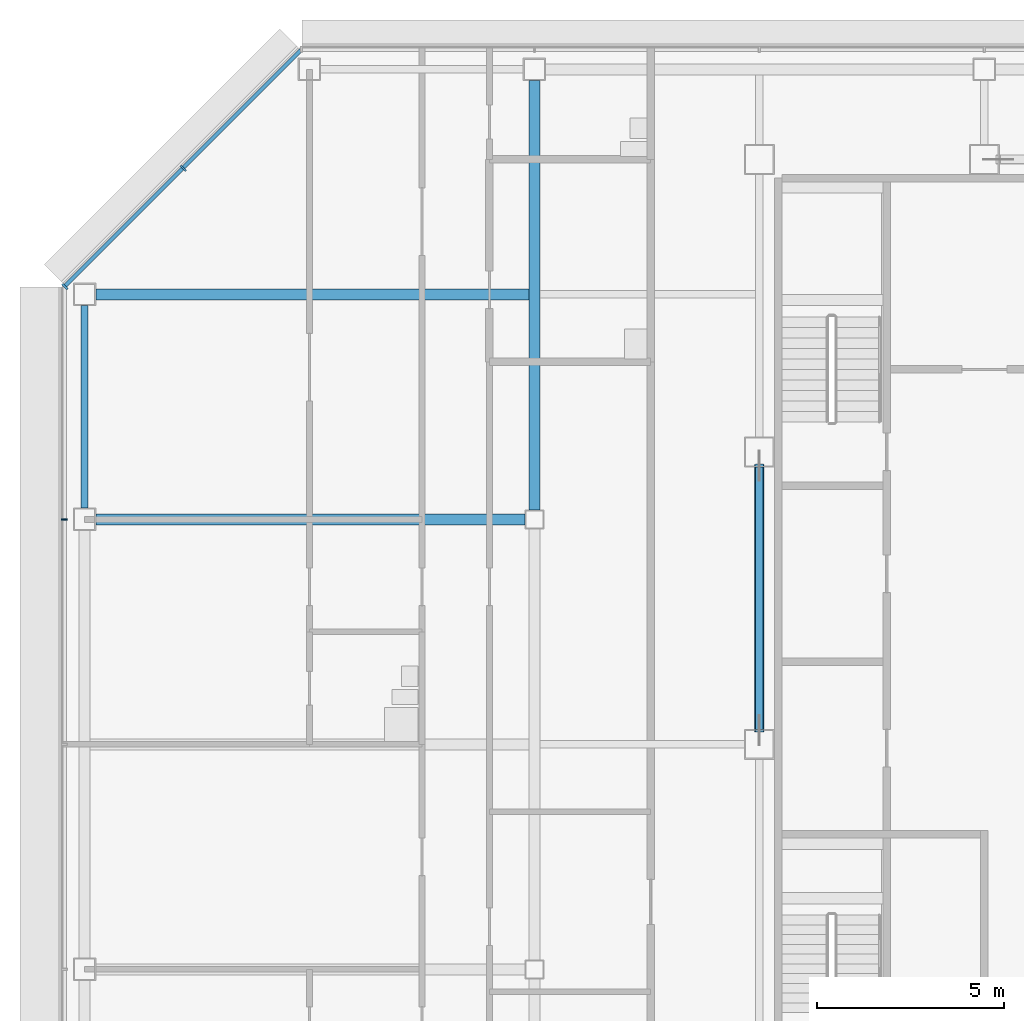
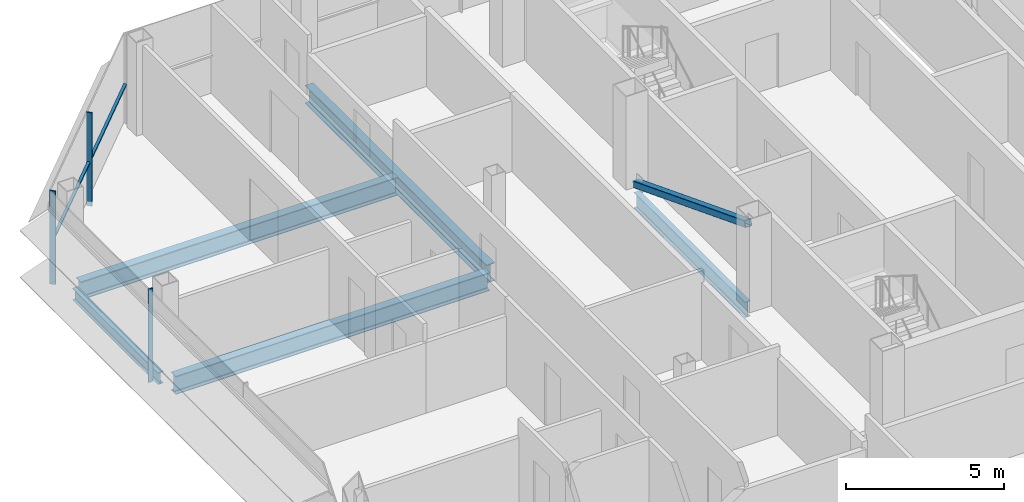
# One storey, part 12 of 28: 5 beams, 5 members, 2 elements without a shape of their own.
"""IFC4 building model written with IfcOpenShell, lengths in metres."""

import ifcopenshell
import ifcopenshell.guid

model = None  # the IFC model being written
_history = None  # IfcOwnerHistory: only IFC2X3 demands one
_inside = {}  # id of a spatial element -> (the spatial element, [elements in it])
_under = {}  # id of a project, library or spatial element -> (it, [spatial elements below it])
_declared = {}  # id of a project -> (the project, [libraries it declares])
_typed = {}  # id of a type object -> (the type object, [elements of that type])
_made_of = {}  # id of a material, layer set ... -> (it, [elements and type objects made of it])


def new_model(schema):
    """Start an empty IFC model of exactly this schema.

    Asked for "IFC4X3", IfcOpenShell would pick the latest addendum, in which some entities
    have other attributes; the version numbers below select the first issue.
    IFC2X3 requires an IfcOwnerHistory on every rooted entity: one is made here for all.
    """
    global model, _history
    if schema == "IFC4X3":
        model = ifcopenshell.file(schema_version=(4, 3, 0, 0))
    else:
        model = ifcopenshell.file(schema=schema)
    _inside.clear()
    _under.clear()
    _declared.clear()
    _typed.clear()
    _made_of.clear()
    _history = None
    if model.schema == "IFC2X3":
        org = make("IfcOrganization", Name="unknown")
        user = make(
            "IfcPersonAndOrganization",
            ThePerson=make("IfcPerson", FamilyName="unknown"),
            TheOrganization=org,
        )
        app = make(
            "IfcApplication",
            ApplicationDeveloper=org,
            Version="unknown",
            ApplicationFullName="unknown",
            ApplicationIdentifier="unknown",
        )
        _history = make(
            "IfcOwnerHistory",
            OwningUser=user,
            OwningApplication=app,
            ChangeAction="ADDED",
            CreationDate=0,
        )
    return model


def make(cls, **values):
    """One entity of the class cls with the attributes given. An attribute that is None is left unset."""
    return model.create_entity(
        cls, **{name: value for name, value in values.items() if value is not None}
    )


def rooted(cls, **values):
    """An entity with a GlobalId (a new one), such as an element, a storey or a relation."""
    return make(cls, GlobalId=ifcopenshell.guid.new(), OwnerHistory=_history, **values)


def si_unit(unit_type, name, prefix=None):
    """IfcSIUnit, for example si_unit("LENGTHUNIT", "METRE", prefix="MILLI")."""
    return make("IfcSIUnit", UnitType=unit_type, Prefix=prefix, Name=name)


def assignment(units):
    """IfcUnitAssignment: the units of a project."""
    return None if units is None else make("IfcUnitAssignment", Units=units)


def point(xyz):
    """IfcCartesianPoint."""
    return None if xyz is None else make("IfcCartesianPoint", Coordinates=xyz)


def direction(xyz):
    """IfcDirection."""
    return None if xyz is None else make("IfcDirection", DirectionRatios=xyz)


def frame(location, z_axis=None, x_axis=None):
    """IfcAxis2Placement3D, a coordinate frame: its origin and axes. An axis left out is left unset."""
    return make(
        "IfcAxis2Placement3D",
        Location=point(location),
        Axis=direction(z_axis),
        RefDirection=direction(x_axis),
    )


def frame_2d(location, x_axis=None):
    """IfcAxis2Placement2D, a coordinate frame in the plane: its origin and x axis."""
    return make(
        "IfcAxis2Placement2D", Location=point(location), RefDirection=direction(x_axis)
    )


def origin():
    """The frame at (0, 0, 0) with its axes left unset."""
    return frame((0.0, 0.0, 0.0))


def origin_2d():
    """The frame at (0, 0) in the plane with its x axis left unset."""
    return frame_2d((0.0, 0.0))


def place(relative_to, where):
    """IfcLocalPlacement: puts the frame where relative to a parent placement (None: the world)."""
    return make(
        "IfcLocalPlacement", PlacementRelTo=relative_to, RelativePlacement=where
    )


def context(
    kind, dimensions, precision=None, world=None, true_north=None, identifier=None
):
    """IfcGeometricRepresentationContext, for example the 3D "Model" context."""
    return make(
        "IfcGeometricRepresentationContext",
        ContextIdentifier=identifier,
        ContextType=kind,
        CoordinateSpaceDimension=dimensions,
        Precision=precision,
        WorldCoordinateSystem=world,
        TrueNorth=true_north,
    )


def subcontext(parent, identifier, kind, view, scale=None):
    """IfcGeometricRepresentationSubContext, for example "Body" below "Model"."""
    return make(
        "IfcGeometricRepresentationSubContext",
        ContextIdentifier=identifier,
        ContextType=kind,
        ParentContext=parent,
        TargetScale=scale,
        TargetView=view,
    )


def project(units=None, contexts=None):
    """IfcProject with its units and contexts."""
    return rooted(
        "IfcProject",
        Name="project",
        RepresentationContexts=contexts,
        UnitsInContext=assignment(units),
    )


def spatial(cls, under=None, at=None, **own):
    """A site, building, storey or space (cls), placed at a placement, below another one or the project."""
    s = rooted(cls, ObjectPlacement=at, **own)
    if under is not None:
        _under.setdefault(under.id(), (under, []))[1].append(s)
    return s


def profile(cls, at=None, kind="AREA", **sizes):
    """A parametric profile (cls). Its sizes go by their IFC names, for example OverallWidth=200.0."""
    return make(cls, ProfileType=kind, Position=at, **sizes)


def rectangle(**sizes):
    """IfcRectangleProfileDef."""
    return profile("IfcRectangleProfileDef", **sizes)


def hollow_rectangle(**sizes):
    """IfcRectangleHollowProfileDef."""
    return profile("IfcRectangleHollowProfileDef", **sizes)


def i_section(**sizes):
    """IfcIShapeProfileDef."""
    return profile("IfcIShapeProfileDef", **sizes)


def extrude(swept, where, along, depth):
    """IfcExtrudedAreaSolid: the profile swept, set in the frame where, extruded along a direction by depth."""
    return make(
        "IfcExtrudedAreaSolid",
        SweptArea=swept,
        Position=where,
        ExtrudedDirection=direction(along),
        Depth=depth,
    )


def shape(context_of_items, identifier, shape_type, items):
    """IfcShapeRepresentation: the items that make up one representation, for example the "Body"."""
    return make(
        "IfcShapeRepresentation",
        ContextOfItems=context_of_items,
        RepresentationIdentifier=identifier,
        RepresentationType=shape_type,
        Items=items,
    )


def material(Name=None, Category=None):
    """IfcMaterial."""
    return make("IfcMaterial", Name=Name, Category=Category)


def material_profile(
    of_material, cross_section, Name=None, Category=None, Priority=None
):
    """IfcMaterialProfile: a cross section and its material."""
    return make(
        "IfcMaterialProfile",
        Name=Name,
        Material=of_material,
        Profile=cross_section,
        Priority=Priority,
        Category=Category,
    )


def profile_set(profiles, Name=None, composite=None):
    """IfcMaterialProfileSet."""
    return make(
        "IfcMaterialProfileSet",
        Name=Name,
        MaterialProfiles=profiles,
        CompositeProfile=composite,
    )


def made_of(thing, what):
    """Note that an element or type object is made of a material, layer set ...; save() writes the relation."""
    if what is not None:
        _made_of.setdefault(what.id(), (what, []))[1].append(thing)
    return thing


def type_object(cls, material=None, **own):
    """A type object (cls), such as IfcWallType, which elements share."""
    return made_of(rooted(cls, **own), material)


def element(
    cls,
    number,
    at=None,
    inside=None,
    cuts=None,
    type_object=None,
    material=None,
    context=None,
    identifier="Body",
    shape_type=None,
    held_by="IfcProductDefinitionShape",
    body=None,
    shapes=None,
    **own,
):
    """One element of the class cls, such as IfcWall. Its Tag is "e" and its number.

    at: its placement. inside: the storey or other place that contains it. cuts: it is an
    opening in that element (IfcRelVoidsElement). A single representation is given by context,
    identifier, shape_type and body (its items); several are given by shapes. held_by: the class
    of the entity that holds the representations. save() writes the other relations.
    """
    e = rooted(cls, Tag="e%d" % number, ObjectPlacement=at, **own)
    if body is not None:
        shapes = [shape(context, identifier, shape_type, body)]
    if shapes is not None:
        e.Representation = make(held_by, Representations=shapes)
    if inside is not None:
        _inside.setdefault(inside.id(), (inside, []))[1].append(e)
    if cuts is not None:
        rooted(
            "IfcRelVoidsElement", RelatingBuildingElement=cuts, RelatedOpeningElement=e
        )
    if type_object is not None:
        _typed.setdefault(type_object.id(), (type_object, []))[1].append(e)
    return made_of(e, material)


def aggregate(whole, parts):
    """IfcRelAggregates: a whole, such as a stair, and the parts it consists of."""
    return rooted("IfcRelAggregates", RelatingObject=whole, RelatedObjects=parts)


def save(model, path):
    """Write the relations noted so far, then the file.

    IfcRelAggregates (storeys below a building ...), IfcRelContainedInSpatialStructure (elements
    in a storey), IfcRelDefinesByType, IfcRelAssociatesMaterial and IfcRelDeclares: one each for
    every whole, place, type object, material and project.
    """
    for whole, parts in _under.values():
        aggregate(whole, parts)
    for where, things in _inside.values():
        rooted(
            "IfcRelContainedInSpatialStructure",
            RelatedElements=things,
            RelatingStructure=where,
        )
    for kind, things in _typed.values():
        rooted("IfcRelDefinesByType", RelatedObjects=things, RelatingType=kind)
    for what, things in _made_of.values():
        rooted("IfcRelAssociatesMaterial", RelatedObjects=things, RelatingMaterial=what)
    for by, libraries in _declared.values():
        rooted("IfcRelDeclares", RelatingContext=by, RelatedDefinitions=libraries)
    model.write(path)


model = new_model("IFC4")

# Units and contexts
model_context = context("Model", 3, precision=1e-05, world=origin(), true_north=direction((0.0, 1.0)))
body_context = subcontext(model_context, "Body", "Model", "MODEL_VIEW")
ifc_project = project(units=[si_unit("LENGTHUNIT", "METRE"), si_unit("AREAUNIT", "SQUARE_METRE"), si_unit("VOLUMEUNIT", "CUBIC_METRE"), si_unit("PLANEANGLEUNIT", "RADIAN"), si_unit("MASSUNIT", "GRAM", prefix="KILO")], contexts=[model_context])

# Site, building, storey
site_placement = place(None, origin())
site = spatial("IfcSite", under=ifc_project, at=site_placement, CompositionType="ELEMENT")
building_placement = place(site_placement, origin())
building = spatial("IfcBuilding", under=site, at=building_placement, Name="Sorahane Residences", CompositionType="ELEMENT")
storey_placement = place(building_placement, frame((0.0, 0.0, 273.800048828125)))
storey = spatial("IfcBuildingStorey", under=building, at=storey_placement, Name="L65", CompositionType="ELEMENT", Elevation=273.800048828125)

# Member
ifc_material_1 = material(Name="Steel Q355B", Category="steel")
ifc_material_profile_1 = material_profile(ifc_material_1, hollow_rectangle(XDim=0.25, YDim=0.25, WallThickness=0.013916015625, InnerFilletRadius=0.007080078125, OuterFilletRadius=0.02099609375, at=origin_2d()), Name="RHS 250x250x14")
ifc_profile_set_1 = profile_set([ifc_material_profile_1], Name="Steel Q355B")
member_type_1 = type_object("IfcMemberType", Name="Core brace RHS 250x250x14 Q355B", PredefinedType="BRACE", material=ifc_profile_set_1)
member_1_placement = place(storey_placement, frame((6.0, 37.42724609375, 0.114501953125), z_axis=(0.0, -0.932112994653, 0.362167592697), x_axis=(1.0, 0.0, 0.0)))
element("IfcMember", 1, at=member_1_placement, inside=storey, type_object=member_type_1, Name="Core brace L65 x6-2", PredefinedType="BRACE", context=body_context, shape_type="SweptSolid", body=[
    extrude(hollow_rectangle(XDim=0.25, YDim=0.25, WallThickness=0.013916015625, InnerFilletRadius=0.007080078125, OuterFilletRadius=0.02099609375, at=origin_2d()), origin(), (0.0, 0.0, 1.0), 7.568115234375),
])

# Curtain wall, member
ifc_material_2 = material(Name="Dark low-e glass and black anodised aluminium", Category="aluminium")
curtain_wall_type_1 = type_object("IfcCurtainWallType", Name="Curtain wall CW-1 Typical unitised wall", PredefinedType="NOTDEFINED", material=ifc_material_2)
curtain_wall_1_placement = place(storey_placement, origin())
curtain_wall_1 = element("IfcCurtainWall", 2, at=curtain_wall_1_placement, inside=storey, type_object=curtain_wall_type_1, Name="CW-1 curtain wall L65 W1", PredefinedType="NOTDEFINED")
ifc_material_3 = material(Name="Black anodised aluminium", Category="aluminium")
ifc_material_profile_2 = material_profile(ifc_material_3, rectangle(XDim=0.159912109375, YDim=0.050048828125, at=origin_2d()), Name="Curtain wall mullion CW-1 black anodised aluminium 50x160")
ifc_profile_set_2 = profile_set([ifc_material_profile_2], Name="Black anodised aluminium")
member_type_2 = type_object("IfcMemberType", Name="Curtain wall mullion CW-1 black anodised aluminium 50x160", PredefinedType="MULLION", material=ifc_profile_set_2)
member_2_placement = place(storey_placement, frame((-12.5400390625, 36.0, -0.179931640625), z_axis=(0.0, 0.0, 1.0), x_axis=(-1.0, 0.0, 0.0)))
member_2 = element("IfcMember", 3, at=member_2_placement, type_object=member_type_2, Name="CW-1 mullion L65 W1.2", PredefinedType="MULLION", context=body_context, shape_type="SweptSolid", body=[
    extrude(rectangle(XDim=0.159912109375, YDim=0.050048828125, at=origin_2d()), origin(), (0.0, 0.0, 1.0), 3.599853515625),
])
aggregate(curtain_wall_1, [member_2])

# Curtain wall, members
ifc_material_4 = material(Name="Dark low-e glass and black anodised aluminium", Category="aluminium")
curtain_wall_type_2 = type_object("IfcCurtainWallType", Name="Curtain wall CW-2 Chamfer unitised wall", PredefinedType="NOTDEFINED", material=ifc_material_4)
curtain_wall_2_placement = place(storey_placement, origin())
curtain_wall_2 = element("IfcCurtainWall", 4, at=curtain_wall_2_placement, inside=storey, type_object=curtain_wall_type_2, Name="CW-2 curtain wall L65 NW1", PredefinedType="NOTDEFINED")
ifc_material_5 = material(Name="Black anodised aluminium", Category="aluminium")
ifc_material_profile_3 = material_profile(ifc_material_5, rectangle(XDim=0.199951171875, YDim=0.050048828125, at=origin_2d()), Name="Curtain wall mullion CW-2 black anodised aluminium 50x200")
ifc_profile_set_3 = profile_set([ifc_material_profile_3], Name="Black anodised aluminium")
member_type_3 = type_object("IfcMemberType", Name="Curtain wall mullion CW-2 black anodised aluminium 50x200", PredefinedType="MULLION", material=ifc_profile_set_3)
member_3_placement = place(storey_placement, frame((-9.36767578125, 45.36767578125, -0.179931640625), z_axis=(0.0, 0.0, 1.0), x_axis=(-0.707106781187, 0.707106781187, 0.0)))
member_3 = element("IfcMember", 5, at=member_3_placement, type_object=member_type_3, Name="CW-2 mullion L65 NW1.2", PredefinedType="MULLION", context=body_context, shape_type="SweptSolid", body=[
    extrude(rectangle(XDim=0.199951171875, YDim=0.050048828125, at=origin_2d()), origin(), (0.0, 0.0, 1.0), 3.599853515625),
])
member_4_placement = place(storey_placement, frame((-12.525634765625, 42.209716796875, -0.179931640625), z_axis=(0.0, 0.0, 1.0), x_axis=(-0.707106781187, 0.707106781187, 0.0)))
member_4 = element("IfcMember", 6, at=member_4_placement, type_object=member_type_3, Name="CW-2 mullion L65 NW1.3", PredefinedType="MULLION", context=body_context, shape_type="SweptSolid", body=[
    extrude(rectangle(XDim=0.199951171875, YDim=0.050048828125, at=origin_2d()), origin(), (0.0, 0.0, 1.0), 3.599853515625),
])
ifc_material_6 = material(Name="Black anodised aluminium", Category="aluminium")
ifc_material_profile_4 = material_profile(ifc_material_6, rectangle(XDim=0.10009765625, YDim=0.06005859375, at=origin_2d()), Name="Curtain wall transom CW-2 black anodised aluminium 60x100")
ifc_profile_set_4 = profile_set([ifc_material_profile_4], Name="Black anodised aluminium")
member_type_4 = type_object("IfcMemberType", Name="Curtain wall transom CW-2 black anodised aluminium 60x100", PredefinedType="USERDEFINED", material=ifc_profile_set_4)
member_5_placement = place(storey_placement, frame((-6.234375, 48.51513671875, 1.5), z_axis=(-0.707106781187, -0.707106781187, 0.0), x_axis=(0.707106781187, -0.707106781187, 0.0)))
member_5 = element("IfcMember", 7, at=member_5_placement, type_object=member_type_4, Name="CW-2 transom L65 NW1", ObjectType="TRANSOM", PredefinedType="USERDEFINED", context=body_context, shape_type="SweptSolid", body=[
    extrude(rectangle(XDim=0.10009765625, YDim=0.06005859375, at=origin_2d()), origin(), (0.0, 0.0, 1.0), 8.88232421875),
])
aggregate(curtain_wall_2, [member_3, member_4, member_5])

# Beams
ifc_material_7 = material(Name="Steel Q355B", Category="steel")
ifc_material_profile_5 = material_profile(ifc_material_7, i_section(OverallWidth=0.199951171875, OverallDepth=0.449951171875, WebThickness=0.009033203125, FlangeThickness=0.013916015625, FilletRadius=0.02001953125, at=origin_2d()), Name="HN 450x200x9x14")
ifc_profile_set_5 = profile_set([ifc_material_profile_5], Name="Steel Q355B")
beam_type_1 = type_object("IfcBeamType", Name="Steel floor beam HN 450x200x9x14 Q355B", PredefinedType="BEAM", material=ifc_profile_set_5)
beam_1_placement = place(storey_placement, frame((-12.0, 36.300048828125, -0.405029296875), z_axis=(0.0, 1.0, 0.0), x_axis=(-1.0, 0.0, 0.0)))
element("IfcBeam", 8, at=beam_1_placement, inside=storey, type_object=beam_type_1, Name="Beam L65 023", PredefinedType="BEAM", context=body_context, shape_type="SweptSolid", body=[
    extrude(i_section(OverallWidth=0.199951171875, OverallDepth=0.449951171875, WebThickness=0.009033203125, FlangeThickness=0.013916015625, FilletRadius=0.02001953125, at=origin_2d()), origin(), (0.0, 0.0, 1.0), 5.39990234375),
])
ifc_material_8 = material(Name="Steel Q355B", Category="steel")
ifc_material_profile_6 = material_profile(ifc_material_8, i_section(OverallWidth=0.199951171875, OverallDepth=0.60009765625, WebThickness=0.010986328125, FlangeThickness=0.01708984375, FilletRadius=0.02392578125, at=origin_2d()), Name="HN 600x200x11x17")
ifc_profile_set_6 = profile_set([ifc_material_profile_6], Name="Steel Q355B")
beam_type_2 = type_object("IfcBeamType", Name="Steel floor beam HN 600x200x11x17 Q355B", PredefinedType="BEAM", material=ifc_profile_set_6)
beam_2_placement = place(storey_placement, frame((6.0, 30.39990234375, -0.47998046875), z_axis=(0.0, 1.0, 0.0), x_axis=(-1.0, 0.0, 0.0)))
element("IfcBeam", 9, at=beam_2_placement, inside=storey, type_object=beam_type_2, Name="Beam L65 031", PredefinedType="BEAM", context=body_context, shape_type="SweptSolid", body=[
    extrude(i_section(OverallWidth=0.199951171875, OverallDepth=0.60009765625, WebThickness=0.010986328125, FlangeThickness=0.01708984375, FilletRadius=0.02392578125, at=origin_2d()), origin(), (0.0, 0.0, 1.0), 7.0),
])
ifc_material_9 = material(Name="Steel Q355B", Category="steel")
ifc_material_profile_7 = material_profile(ifc_material_9, i_section(OverallWidth=0.300048828125, OverallDepth=0.699951171875, WebThickness=0.012939453125, FlangeThickness=0.02392578125, FilletRadius=0.028076171875, at=origin_2d()), Name="HN 700x300x13x24")
ifc_profile_set_7 = profile_set([ifc_material_profile_7], Name="Steel Q355B")
beam_type_3 = type_object("IfcBeamType", Name="Steel floor beam HN 700x300x13x24 Q355B", PredefinedType="BEAM", material=ifc_profile_set_7)
for number, where, z_axis, x_axis, name in (
    (10, (-11.699951171875, 36.0, -0.530029296875), (1.0, 0.0, 0.0), (0.0, 1.0, 0.0), "Beam L65 013"),
    (11, (0.0, 36.25, -0.530029296875), (0.0, 1.0, 0.0), (-1.0, 0.0, 0.0), "Beam L65 027"),
):
    element("IfcBeam", number, at=place(storey_placement, frame(where, z_axis=z_axis, x_axis=x_axis)), inside=storey, type_object=beam_type_3, Name=name, PredefinedType="BEAM", context=body_context, shape_type="SweptSolid", body=[
        extrude(i_section(OverallWidth=0.300048828125, OverallDepth=0.699951171875, WebThickness=0.012939453125, FlangeThickness=0.02392578125, FilletRadius=0.028076171875, at=origin_2d()), origin(), (0.0, 0.0, 1.0), 11.449951171875),
    ])
beam_3_placement = place(storey_placement, frame((-11.699951171875, 42.0, -0.530029296875), z_axis=(1.0, 0.0, 0.0), x_axis=(0.0, 1.0, 0.0)))
element("IfcBeam", 12, at=beam_3_placement, inside=storey, type_object=beam_type_3, Name="Beam L65 089", PredefinedType="BEAM", context=body_context, shape_type="SweptSolid", body=[
    extrude(i_section(OverallWidth=0.300048828125, OverallDepth=0.699951171875, WebThickness=0.012939453125, FlangeThickness=0.02392578125, FilletRadius=0.028076171875, at=origin_2d()), origin(), (0.0, 0.0, 1.0), 11.550048828125),
])

save(model, "model.ifc")
